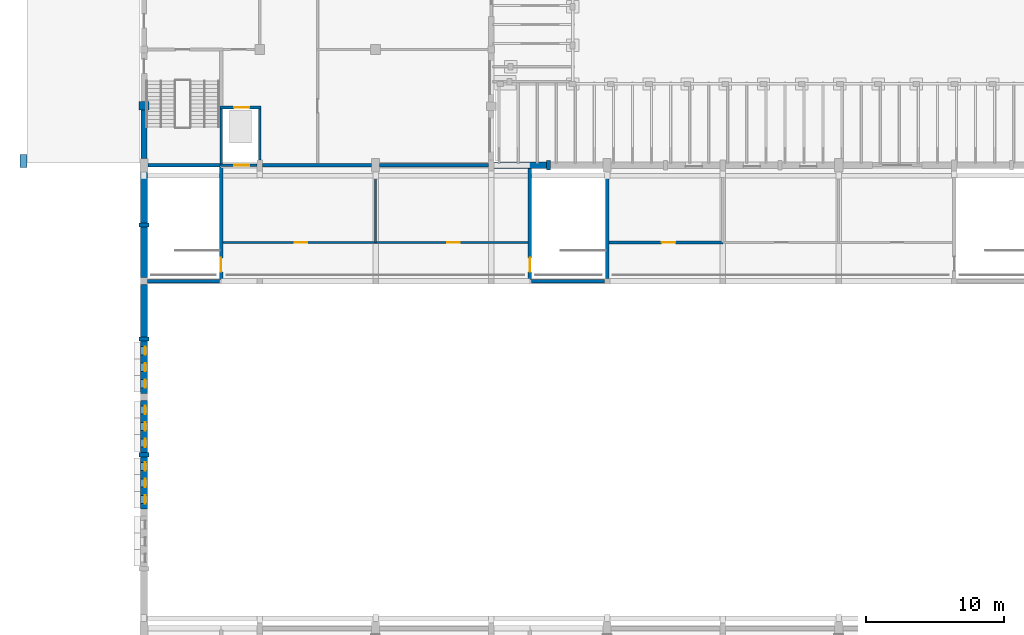
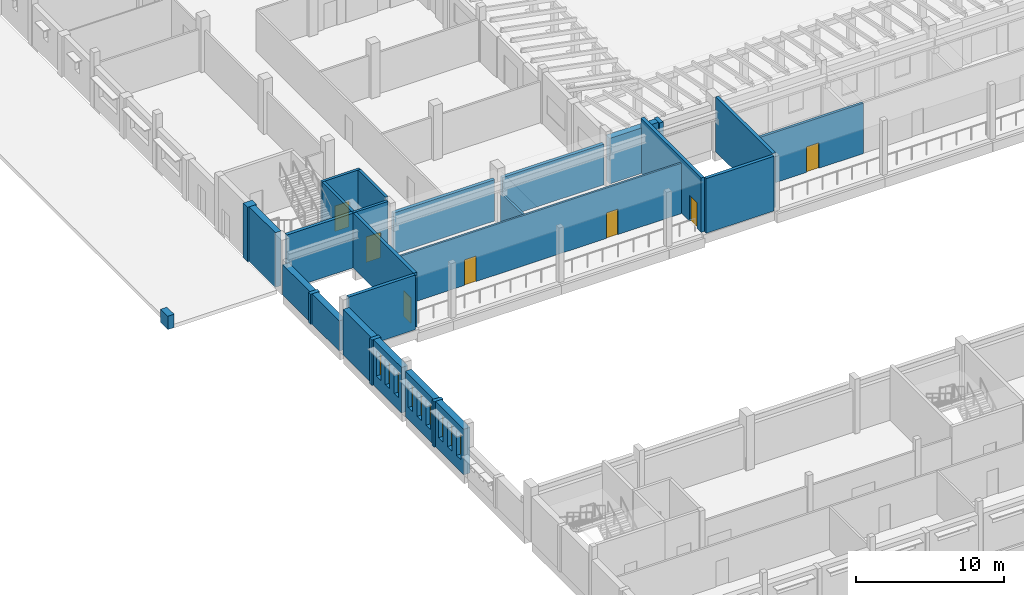
# One storey, part 34 of 60: 29 walls, 9 windows, 7 doors, 16 openings.
"""IFC4 building model written with IfcOpenShell, lengths in metres."""

from ifc_helpers import new_model, si_unit, direction, frame, frame_2d, origin, place, context, subcontext, project, spatial, rectangle, extrude, material, layer, layer_set, type_object, element, fill, save


model = new_model("IFC4")

# Units and contexts
model_context = context("Model", 3, precision=1e-05, world=origin(), true_north=direction((0.0, 1.0)))
body_context = subcontext(model_context, "Body", "Model", "MODEL_VIEW")
ifc_project = project(units=[si_unit("LENGTHUNIT", "METRE"), si_unit("AREAUNIT", "SQUARE_METRE"), si_unit("VOLUMEUNIT", "CUBIC_METRE"), si_unit("PLANEANGLEUNIT", "RADIAN"), si_unit("MASSUNIT", "GRAM", prefix="KILO")], contexts=[model_context])

# Site, building, storey
site_placement = place(None, origin())
site = spatial("IfcSite", under=ifc_project, at=site_placement, CompositionType="ELEMENT")
building_placement = place(site_placement, origin())
building = spatial("IfcBuilding", under=site, at=building_placement, Name="Fescue Hill Polytechnic", CompositionType="ELEMENT")
storey_placement = place(building_placement, frame((0.0, 0.0, 4.5)))
storey = spatial("IfcBuildingStorey", under=building, at=storey_placement, Name="L01", CompositionType="ELEMENT", Elevation=4.5)

# Wall
ifc_material_1 = material(Name="Concrete 40 MPa", Category="concrete")
ifc_layer_1 = layer(ifc_material_1, 0.25)
ifc_layer_set_1 = layer_set([ifc_layer_1], Name="Concrete 40 MPa")
wall_type_1 = type_object("IfcWallType", Name="Core wall 250", PredefinedType="SHEAR", material=ifc_layer_set_1)
wall_1_placement = place(storey_placement, frame((0.300048828125, 50.39990234375, 0.0), z_axis=(0.0, 0.0, 1.0), x_axis=(1.0, 0.0, 0.0)))
element("IfcWall", 1, at=wall_1_placement, inside=storey, type_object=wall_type_1, Name="CW-L01-ST-V1-5-21", PredefinedType="SHEAR", context=body_context, shape_type="SweptSolid", body=[
    extrude(rectangle(XDim=5.199951171875, YDim=0.25, at=frame_2d((2.60009765625, 0.0))), origin(), (0.0, 0.0, 1.0), 4.5),
])

# Wall, opening, door
wall_2_placement = place(storey_placement, frame((5.60009765625, 42.125, 0.0), z_axis=(0.0, 0.0, 1.0), x_axis=(0.0, 1.0, 0.0)))
wall_2 = element("IfcWall", 2, at=wall_2_placement, inside=storey, type_object=wall_type_1, Name="CW-L01-ST-V1-5-41", PredefinedType="SHEAR", context=body_context, shape_type="SweptSolid", body=[
    extrude(rectangle(XDim=8.14990234375, YDim=0.25, at=frame_2d((4.074951171875, 0.0))), origin(), (0.0, 0.0, 1.0), 4.5),
])
opening_1_placement = place(wall_2_placement, frame((0.550048828125, 0.0, 0.0)))
opening_1 = element("IfcOpeningElement", 3, at=opening_1_placement, cuts=wall_2, Name="Opening D1081", PredefinedType="OPENING", context=body_context, shape_type="SweptSolid", body=[
    extrude(rectangle(XDim=1.0, YDim=2.10009765625, at=frame_2d((0.5, 1.050048828125))), frame((0.0, 0.135009765625, 0.0), z_axis=(0.0, -1.0, 0.0), x_axis=(1.0, 0.0, 0.0)), (0.0, 0.0, 1.0), 0.27001953125),
])
ifc_material_2 = material(Name="Steel fire door", Category="steel")
door_type_1 = type_object("IfcDoorType", Name="Door single swing 1000x2100 stair fire rated", OperationType="NOTDEFINED", PredefinedType="DOOR", material=ifc_material_2)
door_1_placement = place(opening_1_placement, origin())
door_1 = element("IfcDoor", 4, at=door_1_placement, inside=storey, type_object=door_type_1, Name="L01 ST-V1-5 stair door", OperationType="SINGLE_SWING_LEFT", OverallHeight=2.10009765625, OverallWidth=1.0, PredefinedType="DOOR", context=body_context, shape_type="SweptSolid", body=[
    extrude(rectangle(XDim=1.0, YDim=2.10009765625, at=frame_2d((0.5, 1.050048828125))), frame((0.0, 0.02490234375, 0.0), z_axis=(0.0, -1.0, 0.0), x_axis=(1.0, 0.0, 0.0)), (0.0, 0.0, 1.0), 0.050048828125),
])
fill(opening_1, door_1)

wall_3_placement = place(storey_placement, frame((28.0, 42.125, 0.0), z_axis=(0.0, 0.0, 1.0), x_axis=(0.0, 1.0, 0.0)))
wall_3 = element("IfcWall", 5, at=wall_3_placement, inside=storey, type_object=wall_type_1, Name="CW-L01-ST-V1-6-31", PredefinedType="SHEAR", context=body_context, shape_type="SweptSolid", body=[
    extrude(rectangle(XDim=8.14990234375, YDim=0.25, at=frame_2d((4.074951171875, 0.0))), origin(), (0.0, 0.0, 1.0), 4.5),
])
opening_2_placement = place(wall_3_placement, frame((0.550048828125, 0.0, 0.0)))
opening_2 = element("IfcOpeningElement", 6, at=opening_2_placement, cuts=wall_3, Name="Opening D1082", PredefinedType="OPENING", context=body_context, shape_type="SweptSolid", body=[
    extrude(rectangle(XDim=1.0, YDim=2.10009765625, at=frame_2d((0.5, 1.050048828125))), frame((0.0, 0.135009765625, 0.0), z_axis=(0.0, -1.0, 0.0), x_axis=(1.0, 0.0, 0.0)), (0.0, 0.0, 1.0), 0.27001953125),
])
door_2_placement = place(opening_2_placement, origin())
door_2 = element("IfcDoor", 7, at=door_2_placement, inside=storey, type_object=door_type_1, Name="L01 ST-V1-6 stair door", OperationType="SINGLE_SWING_RIGHT", OverallHeight=2.10009765625, OverallWidth=1.0, PredefinedType="DOOR", context=body_context, shape_type="SweptSolid", body=[
    extrude(rectangle(XDim=1.0, YDim=2.10009765625, at=frame_2d((0.5, 1.050048828125))), frame((0.0, 0.02490234375, 0.0), z_axis=(0.0, -1.0, 0.0), x_axis=(1.0, 0.0, 0.0)), (0.0, 0.0, 1.0), 0.050048828125),
])
fill(opening_2, door_2)

# Walls
wall_4_placement = place(storey_placement, frame((33.60009765625, 42.199951171875, 0.0), z_axis=(0.0, 0.0, 1.0), x_axis=(0.0, 1.0, 0.0)))
element("IfcWall", 8, at=wall_4_placement, inside=storey, type_object=wall_type_1, Name="CW-L01-ST-V1-6-41", PredefinedType="SHEAR", context=body_context, shape_type="SweptSolid", body=[
    extrude(rectangle(XDim=7.699951171875, YDim=0.25, at=frame_2d((3.85009765625, 0.0))), origin(), (0.0, 0.0, 1.0), 4.5),
])
wall_5_placement = place(storey_placement, frame((0.25, 42.0, 0.0), z_axis=(0.0, 0.0, 1.0), x_axis=(1.0, 0.0, 0.0)))
element("IfcWall", 9, at=wall_5_placement, inside=storey, type_object=wall_type_1, Name="SCW-L01-ST-V1-5-s1", PredefinedType="SHEAR", context=body_context, shape_type="SweptSolid", body=[
    extrude(rectangle(XDim=5.22509765625, YDim=0.25, at=frame_2d((2.612548828125, 0.0))), origin(), (0.0, 0.0, 1.0), 4.5),
])
wall_6_placement = place(storey_placement, frame((28.125, 42.0, 0.0), z_axis=(0.0, 0.0, 1.0), x_axis=(1.0, 0.0, 0.0)))
element("IfcWall", 10, at=wall_6_placement, inside=storey, type_object=wall_type_1, Name="SCW-L01-ST-V1-6-s1", PredefinedType="SHEAR", context=body_context, shape_type="SweptSolid", body=[
    extrude(rectangle(XDim=5.27490234375, YDim=0.25, at=frame_2d((2.637451171875, 0.0))), origin(), (0.0, 0.0, 1.0), 4.5),
])

# Wall, openings, doors
ifc_material_3 = material(Name="Gypsum board partition")
ifc_layer_2 = layer(ifc_material_3, 0.14990234375)
ifc_layer_set_2 = layer_set([ifc_layer_2], Name="Gypsum board partition")
wall_type_2 = type_object("IfcWallType", Name="Corridor wall 150 EI 45", PredefinedType="PARTITIONING", material=ifc_layer_set_2)
wall_7_placement = place(storey_placement, frame((5.75, 44.800048828125, 0.0), z_axis=(0.0, 0.0, 1.0), x_axis=(1.0, 0.0, 0.0)))
wall_7 = element("IfcWall", 11, at=wall_7_placement, inside=storey, type_object=wall_type_2, Name="IW-L01-028", PredefinedType="PARTITIONING", context=body_context, shape_type="SweptSolid", body=[
    extrude(rectangle(XDim=22.10009765625, YDim=0.14990234375, at=frame_2d((11.050048828125, 0.0))), origin(), (0.0, 0.0, 1.0), 4.14990234375),
])
opening_3_placement = place(wall_7_placement, frame((5.199951171875, 0.0, 0.0)))
opening_3 = element("IfcOpeningElement", 12, at=opening_3_placement, cuts=wall_7, Name="Opening D1034", PredefinedType="OPENING", context=body_context, shape_type="SweptSolid", body=[
    extrude(rectangle(XDim=0.89990234375, YDim=2.10009765625, at=frame_2d((0.449951171875, 1.050048828125))), frame((0.0, 0.0849609375, 0.0), z_axis=(0.0, -1.0, 0.0), x_axis=(1.0, 0.0, 0.0)), (0.0, 0.0, 1.0), 0.169921875),
])
opening_4_placement = place(wall_7_placement, frame((16.25, 0.0, 0.0)))
opening_4 = element("IfcOpeningElement", 13, at=opening_4_placement, cuts=wall_7, Name="Opening D1035", PredefinedType="OPENING", context=body_context, shape_type="SweptSolid", body=[
    extrude(rectangle(XDim=0.89990234375, YDim=2.10009765625, at=frame_2d((0.449951171875, 1.050048828125))), frame((0.0, 0.0849609375, 0.0), z_axis=(0.0, -1.0, 0.0), x_axis=(1.0, 0.0, 0.0)), (0.0, 0.0, 1.0), 0.169921875),
])
ifc_material_4 = material(Name="Timber", Category="wood")
door_type_2 = type_object("IfcDoorType", Name="Door single swing 900x2100 FD30S", OperationType="SINGLE_SWING_LEFT", PredefinedType="DOOR", material=ifc_material_4)
door_3_placement = place(opening_3_placement, origin())
door_3 = element("IfcDoor", 14, at=door_3_placement, inside=storey, type_object=door_type_2, Name="Door D1034", OperationType="SINGLE_SWING_LEFT", OverallHeight=2.10009765625, OverallWidth=0.89990234375, PredefinedType="DOOR", context=body_context, shape_type="SweptSolid", body=[
    extrude(rectangle(XDim=0.89990234375, YDim=2.10009765625, at=frame_2d((0.449951171875, 1.050048828125))), frame((0.0, 0.02490234375, 0.0), z_axis=(0.0, -1.0, 0.0), x_axis=(1.0, 0.0, 0.0)), (0.0, 0.0, 1.0), 0.050048828125),
])
fill(opening_3, door_3)
door_4_placement = place(opening_4_placement, origin())
door_4 = element("IfcDoor", 15, at=door_4_placement, inside=storey, type_object=door_type_2, Name="Door D1035", OperationType="SINGLE_SWING_RIGHT", OverallHeight=2.10009765625, OverallWidth=0.89990234375, PredefinedType="DOOR", context=body_context, shape_type="SweptSolid", body=[
    extrude(rectangle(XDim=0.89990234375, YDim=2.10009765625, at=frame_2d((0.449951171875, 1.050048828125))), frame((0.0, 0.02490234375, 0.0), z_axis=(0.0, -1.0, 0.0), x_axis=(1.0, 0.0, 0.0)), (0.0, 0.0, 1.0), 0.050048828125),
])
fill(opening_4, door_4)

# Walls
ifc_layer_3 = layer(ifc_material_1, 0.449951171875)
ifc_layer_set_3 = layer_set([ifc_layer_3], Name="Concrete 40 MPa")
wall_type_3 = type_object("IfcWallType", Name="Exterior wall board-marked concrete 450 load-bearing", PredefinedType="SOLIDWALL", material=ifc_layer_set_3)
wall_8_placement = place(storey_placement, frame((0.0, 54.425048828125, 0.0), z_axis=(0.0, 0.0, 1.0), x_axis=(0.0, -1.0, 0.0)))
element("IfcWall", 16, at=wall_8_placement, inside=storey, type_object=wall_type_3, Name="EW-L01-V4-29", PredefinedType="SOLIDWALL", context=body_context, shape_type="SweptSolid", body=[
    extrude(rectangle(XDim=3.525146484375, YDim=0.449951171875, at=frame_2d((1.7626953125, 0.0))), origin(), (0.0, 0.0, 1.0), 4.5),
])
ifc_material_5 = material(Name="Clay brick masonry", Category="masonry")
ifc_layer_4 = layer(ifc_material_5, 0.47998046875)
ifc_layer_set_4 = layer_set([ifc_layer_4], Name="Clay brick masonry")
wall_type_4 = type_object("IfcWallType", Name="Exterior wall engineering brick cavity 480", PredefinedType="SOLIDWALL", material=ifc_layer_set_4)
wall_9_placement = place(storey_placement, frame((0.0, 41.75, 0.0), z_axis=(0.0, 0.0, 1.0), x_axis=(0.0, -1.0, 0.0)))
element("IfcWall", 17, at=wall_9_placement, inside=storey, type_object=wall_type_4, Name="EW-L01-V1-73", PredefinedType="SOLIDWALL", context=body_context, shape_type="SweptSolid", body=[
    extrude(rectangle(XDim=3.800048828125, YDim=0.47998046875, at=frame_2d((1.89990234375, 0.0))), origin(), (0.0, 0.0, 1.0), 3.75),
])

# Wall, openings, windows
wall_10_placement = place(storey_placement, frame((0.0, 37.64990234375, 0.0), z_axis=(0.0, 0.0, 1.0), x_axis=(0.0, -1.0, 0.0)))
wall_10 = element("IfcWall", 18, at=wall_10_placement, inside=storey, type_object=wall_type_4, Name="EW-L01-V1-74", PredefinedType="SOLIDWALL", context=body_context, shape_type="SweptSolid", body=[
    extrude(rectangle(XDim=3.7998046875, YDim=0.47998046875, at=frame_2d((1.89990234375, 0.0))), origin(), (0.0, 0.0, 1.0), 3.75),
])
opening_5_placement = place(wall_10_placement, frame((0.39990234375, 0.0, 1.0)))
opening_5 = element("IfcOpeningElement", 19, at=opening_5_placement, cuts=wall_10, Name="Opening W6", PredefinedType="OPENING", context=body_context, shape_type="SweptSolid", body=[
    extrude(rectangle(XDim=0.60009765625, YDim=2.10009765625, at=frame_2d((0.300048828125, 1.050048828125))), frame((0.0, 0.25, 0.0), z_axis=(0.0, -1.0, 0.0), x_axis=(1.0, 0.0, 0.0)), (0.0, 0.0, 1.0), 0.5),
])
opening_6_placement = place(wall_10_placement, frame((1.60009765625, 0.0, 1.0)))
opening_6 = element("IfcOpeningElement", 20, at=opening_6_placement, cuts=wall_10, Name="Opening W6", PredefinedType="OPENING", context=body_context, shape_type="SweptSolid", body=[
    extrude(rectangle(XDim=0.60009765625, YDim=2.10009765625, at=frame_2d((0.300048828125, 1.050048828125))), frame((0.0, 0.25, 0.0), z_axis=(0.0, -1.0, 0.0), x_axis=(1.0, 0.0, 0.0)), (0.0, 0.0, 1.0), 0.5),
])
opening_7_placement = place(wall_10_placement, frame((2.800048828125, 0.0, 1.0)))
opening_7 = element("IfcOpeningElement", 21, at=opening_7_placement, cuts=wall_10, Name="Opening W6", PredefinedType="OPENING", context=body_context, shape_type="SweptSolid", body=[
    extrude(rectangle(XDim=0.60009765625, YDim=2.10009765625, at=frame_2d((0.300048828125, 1.050048828125))), frame((0.0, 0.25, 0.0), z_axis=(0.0, -1.0, 0.0), x_axis=(1.0, 0.0, 0.0)), (0.0, 0.0, 1.0), 0.5),
])
ifc_material_6 = material(Name="Powder-coated aluminium and glass", Category="aluminium")
window_type = type_object("IfcWindowType", Name="Window slot 600x2100", PartitioningType="SINGLE_PANEL", PredefinedType="WINDOW", material=ifc_material_6)
window_1_placement = place(opening_5_placement, origin())
window_1 = element("IfcWindow", 22, at=window_1_placement, inside=storey, type_object=window_type, Name="WN-L01-V1-36", OverallHeight=2.10009765625, OverallWidth=0.60009765625, PartitioningType="SINGLE_PANEL", PredefinedType="WINDOW", context=body_context, shape_type="SweptSolid", body=[
    extrude(rectangle(XDim=0.60009765625, YDim=2.10009765625, at=frame_2d((0.300048828125, 1.050048828125))), frame((0.0, 0.1201171875, 0.0), z_axis=(0.0, -1.0, 0.0), x_axis=(1.0, 0.0, 0.0)), (0.0, 0.0, 1.0), 0.06005859375),
])
fill(opening_5, window_1)
window_2_placement = place(opening_6_placement, origin())
window_2 = element("IfcWindow", 23, at=window_2_placement, inside=storey, type_object=window_type, Name="WN-L01-V1-37", OverallHeight=2.10009765625, OverallWidth=0.60009765625, PartitioningType="SINGLE_PANEL", PredefinedType="WINDOW", context=body_context, shape_type="SweptSolid", body=[
    extrude(rectangle(XDim=0.60009765625, YDim=2.10009765625, at=frame_2d((0.300048828125, 1.050048828125))), frame((0.0, 0.1201171875, 0.0), z_axis=(0.0, -1.0, 0.0), x_axis=(1.0, 0.0, 0.0)), (0.0, 0.0, 1.0), 0.06005859375),
])
fill(opening_6, window_2)
window_3_placement = place(opening_7_placement, origin())
window_3 = element("IfcWindow", 24, at=window_3_placement, inside=storey, type_object=window_type, Name="WN-L01-V1-38", OverallHeight=2.10009765625, OverallWidth=0.60009765625, PartitioningType="SINGLE_PANEL", PredefinedType="WINDOW", context=body_context, shape_type="SweptSolid", body=[
    extrude(rectangle(XDim=0.60009765625, YDim=2.10009765625, at=frame_2d((0.300048828125, 1.050048828125))), frame((0.0, 0.1201171875, 0.0), z_axis=(0.0, -1.0, 0.0), x_axis=(1.0, 0.0, 0.0)), (0.0, 0.0, 1.0), 0.06005859375),
])
fill(opening_7, window_3)

wall_11_placement = place(storey_placement, frame((0.0, 33.35009765625, 0.0), z_axis=(0.0, 0.0, 1.0), x_axis=(0.0, -1.0, 0.0)))
wall_11 = element("IfcWall", 25, at=wall_11_placement, inside=storey, type_object=wall_type_4, Name="EW-L01-V1-75", PredefinedType="SOLIDWALL", context=body_context, shape_type="SweptSolid", body=[
    extrude(rectangle(XDim=3.800048828125, YDim=0.47998046875, at=frame_2d((1.89990234375, 0.0))), origin(), (0.0, 0.0, 1.0), 3.75),
])
opening_8_placement = place(wall_11_placement, frame((0.39990234375, 0.0, 1.0)))
opening_8 = element("IfcOpeningElement", 26, at=opening_8_placement, cuts=wall_11, Name="Opening W6", PredefinedType="OPENING", context=body_context, shape_type="SweptSolid", body=[
    extrude(rectangle(XDim=0.60009765625, YDim=2.10009765625, at=frame_2d((0.300048828125, 1.050048828125))), frame((0.0, 0.25, 0.0), z_axis=(0.0, -1.0, 0.0), x_axis=(1.0, 0.0, 0.0)), (0.0, 0.0, 1.0), 0.5),
])
opening_9_placement = place(wall_11_placement, frame((1.60009765625, 0.0, 1.0)))
opening_9 = element("IfcOpeningElement", 27, at=opening_9_placement, cuts=wall_11, Name="Opening W6", PredefinedType="OPENING", context=body_context, shape_type="SweptSolid", body=[
    extrude(rectangle(XDim=0.60009765625, YDim=2.10009765625, at=frame_2d((0.300048828125, 1.050048828125))), frame((0.0, 0.25, 0.0), z_axis=(0.0, -1.0, 0.0), x_axis=(1.0, 0.0, 0.0)), (0.0, 0.0, 1.0), 0.5),
])
opening_10_placement = place(wall_11_placement, frame((2.800048828125, 0.0, 1.0)))
opening_10 = element("IfcOpeningElement", 28, at=opening_10_placement, cuts=wall_11, Name="Opening W6", PredefinedType="OPENING", context=body_context, shape_type="SweptSolid", body=[
    extrude(rectangle(XDim=0.60009765625, YDim=2.10009765625, at=frame_2d((0.300048828125, 1.050048828125))), frame((0.0, 0.25, 0.0), z_axis=(0.0, -1.0, 0.0), x_axis=(1.0, 0.0, 0.0)), (0.0, 0.0, 1.0), 0.5),
])
window_4_placement = place(opening_8_placement, origin())
window_4 = element("IfcWindow", 29, at=window_4_placement, inside=storey, type_object=window_type, Name="WN-L01-V1-39", OverallHeight=2.10009765625, OverallWidth=0.60009765625, PartitioningType="SINGLE_PANEL", PredefinedType="WINDOW", context=body_context, shape_type="SweptSolid", body=[
    extrude(rectangle(XDim=0.60009765625, YDim=2.10009765625, at=frame_2d((0.300048828125, 1.050048828125))), frame((0.0, 0.1201171875, 0.0), z_axis=(0.0, -1.0, 0.0), x_axis=(1.0, 0.0, 0.0)), (0.0, 0.0, 1.0), 0.06005859375),
])
fill(opening_8, window_4)
window_5_placement = place(opening_9_placement, origin())
window_5 = element("IfcWindow", 30, at=window_5_placement, inside=storey, type_object=window_type, Name="WN-L01-V1-40", OverallHeight=2.10009765625, OverallWidth=0.60009765625, PartitioningType="SINGLE_PANEL", PredefinedType="WINDOW", context=body_context, shape_type="SweptSolid", body=[
    extrude(rectangle(XDim=0.60009765625, YDim=2.10009765625, at=frame_2d((0.300048828125, 1.050048828125))), frame((0.0, 0.1201171875, 0.0), z_axis=(0.0, -1.0, 0.0), x_axis=(1.0, 0.0, 0.0)), (0.0, 0.0, 1.0), 0.06005859375),
])
fill(opening_9, window_5)
window_6_placement = place(opening_10_placement, origin())
window_6 = element("IfcWindow", 31, at=window_6_placement, inside=storey, type_object=window_type, Name="WN-L01-V1-41", OverallHeight=2.10009765625, OverallWidth=0.60009765625, PartitioningType="SINGLE_PANEL", PredefinedType="WINDOW", context=body_context, shape_type="SweptSolid", body=[
    extrude(rectangle(XDim=0.60009765625, YDim=2.10009765625, at=frame_2d((0.300048828125, 1.050048828125))), frame((0.0, 0.1201171875, 0.0), z_axis=(0.0, -1.0, 0.0), x_axis=(1.0, 0.0, 0.0)), (0.0, 0.0, 1.0), 0.06005859375),
])
fill(opening_10, window_6)

wall_12_placement = place(storey_placement, frame((0.0, 29.25, 0.0), z_axis=(0.0, 0.0, 1.0), x_axis=(0.0, -1.0, 0.0)))
wall_12 = element("IfcWall", 32, at=wall_12_placement, inside=storey, type_object=wall_type_4, Name="EW-L01-V1-76", PredefinedType="SOLIDWALL", context=body_context, shape_type="SweptSolid", body=[
    extrude(rectangle(XDim=3.800048828125, YDim=0.47998046875, at=frame_2d((1.89990234375, 0.0))), origin(), (0.0, 0.0, 1.0), 3.75),
])
opening_11_placement = place(wall_12_placement, frame((0.39990234375, 0.0, 1.0)))
opening_11 = element("IfcOpeningElement", 33, at=opening_11_placement, cuts=wall_12, Name="Opening W6", PredefinedType="OPENING", context=body_context, shape_type="SweptSolid", body=[
    extrude(rectangle(XDim=0.60009765625, YDim=2.10009765625, at=frame_2d((0.300048828125, 1.050048828125))), frame((0.0, 0.25, 0.0), z_axis=(0.0, -1.0, 0.0), x_axis=(1.0, 0.0, 0.0)), (0.0, 0.0, 1.0), 0.5),
])
opening_12_placement = place(wall_12_placement, frame((1.60009765625, 0.0, 1.0)))
opening_12 = element("IfcOpeningElement", 34, at=opening_12_placement, cuts=wall_12, Name="Opening W6", PredefinedType="OPENING", context=body_context, shape_type="SweptSolid", body=[
    extrude(rectangle(XDim=0.60009765625, YDim=2.10009765625, at=frame_2d((0.300048828125, 1.050048828125))), frame((0.0, 0.25, 0.0), z_axis=(0.0, -1.0, 0.0), x_axis=(1.0, 0.0, 0.0)), (0.0, 0.0, 1.0), 0.5),
])
opening_13_placement = place(wall_12_placement, frame((2.800048828125, 0.0, 1.0)))
opening_13 = element("IfcOpeningElement", 35, at=opening_13_placement, cuts=wall_12, Name="Opening W6", PredefinedType="OPENING", context=body_context, shape_type="SweptSolid", body=[
    extrude(rectangle(XDim=0.60009765625, YDim=2.10009765625, at=frame_2d((0.300048828125, 1.050048828125))), frame((0.0, 0.25, 0.0), z_axis=(0.0, -1.0, 0.0), x_axis=(1.0, 0.0, 0.0)), (0.0, 0.0, 1.0), 0.5),
])
window_7_placement = place(opening_11_placement, origin())
window_7 = element("IfcWindow", 36, at=window_7_placement, inside=storey, type_object=window_type, Name="WN-L01-V1-42", OverallHeight=2.10009765625, OverallWidth=0.60009765625, PartitioningType="SINGLE_PANEL", PredefinedType="WINDOW", context=body_context, shape_type="SweptSolid", body=[
    extrude(rectangle(XDim=0.60009765625, YDim=2.10009765625, at=frame_2d((0.300048828125, 1.050048828125))), frame((0.0, 0.1201171875, 0.0), z_axis=(0.0, -1.0, 0.0), x_axis=(1.0, 0.0, 0.0)), (0.0, 0.0, 1.0), 0.06005859375),
])
fill(opening_11, window_7)
window_8_placement = place(opening_12_placement, origin())
window_8 = element("IfcWindow", 37, at=window_8_placement, inside=storey, type_object=window_type, Name="WN-L01-V1-43", OverallHeight=2.10009765625, OverallWidth=0.60009765625, PartitioningType="SINGLE_PANEL", PredefinedType="WINDOW", context=body_context, shape_type="SweptSolid", body=[
    extrude(rectangle(XDim=0.60009765625, YDim=2.10009765625, at=frame_2d((0.300048828125, 1.050048828125))), frame((0.0, 0.1201171875, 0.0), z_axis=(0.0, -1.0, 0.0), x_axis=(1.0, 0.0, 0.0)), (0.0, 0.0, 1.0), 0.06005859375),
])
fill(opening_12, window_8)
window_9_placement = place(opening_13_placement, origin())
window_9 = element("IfcWindow", 38, at=window_9_placement, inside=storey, type_object=window_type, Name="WN-L01-V1-44", OverallHeight=2.10009765625, OverallWidth=0.60009765625, PartitioningType="SINGLE_PANEL", PredefinedType="WINDOW", context=body_context, shape_type="SweptSolid", body=[
    extrude(rectangle(XDim=0.60009765625, YDim=2.10009765625, at=frame_2d((0.300048828125, 1.050048828125))), frame((0.0, 0.1201171875, 0.0), z_axis=(0.0, -1.0, 0.0), x_axis=(1.0, 0.0, 0.0)), (0.0, 0.0, 1.0), 0.06005859375),
])
fill(opening_13, window_9)

# Walls
ifc_layer_5 = layer(ifc_material_5, 0.47998046875)
ifc_layer_set_5 = layer_set([ifc_layer_5], Name="Clay brick masonry")
wall_type_5 = type_object("IfcWallType", Name="Exterior wall engineering brick cavity 480 load-bearing", PredefinedType="SOLIDWALL", material=ifc_layer_set_5)
wall_13_placement = place(storey_placement, frame((0.0, 49.89990234375, 0.0), z_axis=(0.0, 0.0, 1.0), x_axis=(0.0, -1.0, 0.0)))
element("IfcWall", 39, at=wall_13_placement, inside=storey, type_object=wall_type_5, Name="EW-L01-V1-51", PredefinedType="SOLIDWALL", context=body_context, shape_type="SweptSolid", body=[
    extrude(rectangle(XDim=3.6748046875, YDim=0.47998046875, at=frame_2d((1.83740234375, 0.0))), origin(), (0.0, 0.0, 1.0), 2.489013671875),
])
wall_14_placement = place(storey_placement, frame((0.0, 45.925048828125, 0.0), z_axis=(0.0, 0.0, 1.0), x_axis=(0.0, -1.0, 0.0)))
element("IfcWall", 40, at=wall_14_placement, inside=storey, type_object=wall_type_5, Name="EW-L01-V1-52", PredefinedType="SOLIDWALL", context=body_context, shape_type="SweptSolid", body=[
    extrude(rectangle(XDim=3.675048828125, YDim=0.47998046875, at=frame_2d((1.83740234375, 0.0))), origin(), (0.0, 0.0, 1.0), 2.489013671875),
])
wall_15_placement = place(storey_placement, frame((29.199951171875, 50.39990234375, 0.0), z_axis=(0.0, 0.0, 1.0), x_axis=(-1.0, 0.0, 0.0)))
element("IfcWall", 41, at=wall_15_placement, inside=storey, type_object=wall_type_5, Name="EW-L01-V1-72", PredefinedType="SOLIDWALL", context=body_context, shape_type="SweptSolid", body=[
    extrude(rectangle(XDim=3.800048828125, YDim=0.47998046875, at=frame_2d((1.89990234375, 0.0))), origin(), (0.0, 0.0, 1.0), 3.75),
])
ifc_layer_6 = layer(ifc_material_1, 0.699951171875)
ifc_layer_set_6 = layer_set([ifc_layer_6], Name="Concrete 40 MPa")
wall_type_6 = type_object("IfcWallType", Name="Fin wall board-marked 300x700", PredefinedType="SOLIDWALL", material=ifc_layer_set_6)
for number, where, z_axis, x_axis, name in (
    (42, (0.0, 37.949951171875, 0.0), (0.0, 0.0, 1.0), (0.0, -1.0, 0.0), "PR-L01-V1-27"),
    (43, (0.0, 29.550048828125, 0.0), (0.0, 0.0, 1.0), (0.0, -1.0, 0.0), "PR-L01-V1-28"),
):
    element("IfcWall", number, at=place(storey_placement, frame(where, z_axis=z_axis, x_axis=x_axis)), inside=storey, type_object=wall_type_6, Name=name, PredefinedType="SOLIDWALL", context=body_context, shape_type="SweptSolid", body=[
        extrude(rectangle(XDim=0.300048828125, YDim=0.699951171875, at=frame_2d((0.14990234375, 0.0))), origin(), (0.0, 0.0, 1.0), 3.75),
    ])
ifc_layer_7 = layer(ifc_material_1, 0.699951171875)
ifc_layer_set_7 = layer_set([ifc_layer_7], Name="Concrete 40 MPa")
wall_type_7 = type_object("IfcWallType", Name="Fin wall board-marked 300x700 load-bearing", PredefinedType="SOLIDWALL", material=ifc_layer_set_7)
wall_16_placement = place(storey_placement, frame((0.0, 46.22509765625, 0.0), z_axis=(0.0, 0.0, 1.0), x_axis=(0.0, -1.0, 0.0)))
element("IfcWall", 44, at=wall_16_placement, inside=storey, type_object=wall_type_7, Name="PR-L01-V1-19", PredefinedType="SOLIDWALL", context=body_context, shape_type="SweptSolid", body=[
    extrude(rectangle(XDim=0.300048828125, YDim=0.699951171875, at=frame_2d((0.14990234375, 0.0))), origin(), (0.0, 0.0, 1.0), 2.489013671875),
])
wall_17_placement = place(storey_placement, frame((29.5, 50.39990234375, 0.0), z_axis=(0.0, 0.0, 1.0), x_axis=(-1.0, 0.0, 0.0)))
element("IfcWall", 45, at=wall_17_placement, inside=storey, type_object=wall_type_7, Name="PR-L01-V1-26", PredefinedType="SOLIDWALL", context=body_context, shape_type="SweptSolid", body=[
    extrude(rectangle(XDim=0.300048828125, YDim=0.699951171875, at=frame_2d((0.14990234375, 0.0))), origin(), (0.0, 0.0, 1.0), 3.75),
])
ifc_layer_8 = layer(ifc_material_1, 0.699951171875)
ifc_layer_set_8 = layer_set([ifc_layer_8], Name="Concrete 40 MPa")
wall_type_8 = type_object("IfcWallType", Name="Fin wall board-marked 600x700", PredefinedType="SOLIDWALL", material=ifc_layer_set_8)
wall_18_placement = place(storey_placement, frame((0.0, 55.02490234375, 0.0), z_axis=(0.0, 0.0, 1.0), x_axis=(0.0, -1.0, 0.0)))
element("IfcWall", 46, at=wall_18_placement, inside=storey, type_object=wall_type_8, Name="PR-L01-V4-13", PredefinedType="SOLIDWALL", context=body_context, shape_type="SweptSolid", body=[
    extrude(rectangle(XDim=0.599853515625, YDim=0.699951171875, at=frame_2d((0.2998046875, 0.0))), origin(), (0.0, 0.0, 1.0), 4.5),
])

# Wall, opening, door
ifc_layer_9 = layer(ifc_material_1, 0.199951171875)
ifc_layer_set_9 = layer_set([ifc_layer_9], Name="Concrete 40 MPa")
wall_type_9 = type_object("IfcWallType", Name="Lift shaft wall 200", PredefinedType="SHEAR", material=ifc_layer_set_9)
wall_19_placement = place(storey_placement, frame((5.5, 50.39990234375, 0.0), z_axis=(0.0, 0.0, 1.0), x_axis=(1.0, 0.0, 0.0)))
wall_19 = element("IfcWall", 47, at=wall_19_placement, inside=storey, type_object=wall_type_9, Name="CW-L01-LF-V4-1-11", PredefinedType="SHEAR", context=body_context, shape_type="SweptSolid", body=[
    extrude(rectangle(XDim=2.699951171875, YDim=0.199951171875, at=frame_2d((1.35009765625, 0.0))), origin(), (0.0, 0.0, 1.0), 4.5),
])
opening_14_placement = place(wall_19_placement, frame((1.050048828125, 0.0, 0.0)))
opening_14 = element("IfcOpeningElement", 48, at=opening_14_placement, cuts=wall_19, Name="Opening LD4-L01", PredefinedType="OPENING", context=body_context, shape_type="SweptSolid", body=[
    extrude(rectangle(XDim=1.10009765625, YDim=2.10009765625, at=frame_2d((0.550048828125, 1.050048828125))), frame((0.0, 0.10986328125, 0.0), z_axis=(0.0, -1.0, 0.0), x_axis=(1.0, 0.0, 0.0)), (0.0, 0.0, 1.0), 0.219970703125),
])
ifc_material_7 = material(Name="Stainless steel", Category="steel")
door_type_3 = type_object("IfcDoorType", Name="Lift landing door sliding 1100x2100", OperationType="SLIDING_TO_LEFT", PredefinedType="DOOR", material=ifc_material_7)
door_5_placement = place(opening_14_placement, origin())
door_5 = element("IfcDoor", 49, at=door_5_placement, inside=storey, type_object=door_type_3, Name="L01 LF-V4-1 lift landing door", OperationType="SLIDING_TO_RIGHT", OverallHeight=2.10009765625, OverallWidth=1.10009765625, PredefinedType="DOOR", context=body_context, shape_type="SweptSolid", body=[
    extrude(rectangle(XDim=1.10009765625, YDim=2.10009765625, at=frame_2d((0.550048828125, 1.050048828125))), frame((0.0, 0.02490234375, 0.0), z_axis=(0.0, -1.0, 0.0), x_axis=(1.0, 0.0, 0.0)), (0.0, 0.0, 1.0), 0.050048828125),
])
fill(opening_14, door_5)

wall_20_placement = place(storey_placement, frame((5.5, 54.60009765625, 0.0), z_axis=(0.0, 0.0, 1.0), x_axis=(1.0, 0.0, 0.0)))
wall_20 = element("IfcWall", 50, at=wall_20_placement, inside=storey, type_object=wall_type_9, Name="CW-L01-LF-V4-1-21", PredefinedType="SHEAR", context=body_context, shape_type="SweptSolid", body=[
    extrude(rectangle(XDim=3.0, YDim=0.199951171875, at=frame_2d((1.5, 0.0))), origin(), (0.0, 0.0, 1.0), 4.5),
])
opening_15_placement = place(wall_20_placement, frame((1.050048828125, 0.0, 0.0)))
opening_15 = element("IfcOpeningElement", 51, at=opening_15_placement, cuts=wall_20, Name="Opening LD4-L01N", PredefinedType="OPENING", context=body_context, shape_type="SweptSolid", body=[
    extrude(rectangle(XDim=1.10009765625, YDim=2.10009765625, at=frame_2d((0.550048828125, 1.050048828125))), frame((0.0, 0.10986328125, 0.0), z_axis=(0.0, -1.0, 0.0), x_axis=(1.0, 0.0, 0.0)), (0.0, 0.0, 1.0), 0.219970703125),
])
door_6_placement = place(opening_15_placement, origin())
door_6 = element("IfcDoor", 52, at=door_6_placement, inside=storey, type_object=door_type_3, Name="L01 LF-V4-1 lift landing door", OperationType="SLIDING_TO_LEFT", OverallHeight=2.10009765625, OverallWidth=1.10009765625, PredefinedType="DOOR", context=body_context, shape_type="SweptSolid", body=[
    extrude(rectangle(XDim=1.10009765625, YDim=2.10009765625, at=frame_2d((0.550048828125, 1.050048828125))), frame((0.0, 0.02490234375, 0.0), z_axis=(0.0, -1.0, 0.0), x_axis=(1.0, 0.0, 0.0)), (0.0, 0.0, 1.0), 0.050048828125),
])
fill(opening_15, door_6)

# Walls
wall_21_placement = place(storey_placement, frame((5.60009765625, 50.5, 0.0), z_axis=(0.0, 0.0, 1.0), x_axis=(0.0, 1.0, 0.0)))
element("IfcWall", 53, at=wall_21_placement, inside=storey, type_object=wall_type_9, Name="CW-L01-LF-V4-1-31", PredefinedType="SHEAR", context=body_context, shape_type="SweptSolid", body=[
    extrude(rectangle(XDim=4.0, YDim=0.199951171875, at=frame_2d((2.0, 0.0))), origin(), (0.0, 0.0, 1.0), 4.5),
])
wall_22_placement = place(storey_placement, frame((8.39990234375, 50.800048828125, 0.0), z_axis=(0.0, 0.0, 1.0), x_axis=(0.0, 1.0, 0.0)))
element("IfcWall", 54, at=wall_22_placement, inside=storey, type_object=wall_type_9, Name="CW-L01-LF-V4-1-41", PredefinedType="SHEAR", context=body_context, shape_type="SweptSolid", body=[
    extrude(rectangle(XDim=3.699951171875, YDim=0.199951171875, at=frame_2d((1.85009765625, 0.0))), origin(), (0.0, 0.0, 1.0), 4.5),
])
ifc_layer_10 = layer(ifc_material_3, 0.14990234375)
ifc_layer_set_10 = layer_set([ifc_layer_10], Name="Gypsum board partition")
wall_type_10 = type_object("IfcWallType", Name="Partition stud 150 acoustic", PredefinedType="PARTITIONING", material=ifc_layer_set_10)
wall_23_placement = place(storey_placement, frame((16.800048828125, 44.800048828125, 0.0), z_axis=(0.0, 0.0, 1.0), x_axis=(0.0, 1.0, 0.0)))
element("IfcWall", 55, at=wall_23_placement, inside=storey, type_object=wall_type_10, Name="IW-L01-076", PredefinedType="PARTITIONING", context=body_context, shape_type="SweptSolid", body=[
    extrude(rectangle(XDim=5.099853515625, YDim=0.14990234375, at=frame_2d((2.5498046875, 0.0))), origin(), (0.0, 0.0, 1.0), 2.489013671875),
])
ifc_material_8 = material(Name="Concrete 35 MPa", Category="concrete")
ifc_layer_11 = layer(ifc_material_8, 0.25)
ifc_layer_set_11 = layer_set([ifc_layer_11], Name="Concrete 35 MPa")
wall_type_11 = type_object("IfcWallType", Name="Party wall 250 concrete EI 120", PredefinedType="SOLIDWALL", material=ifc_layer_set_11)
wall_24_placement = place(storey_placement, frame((8.60009765625, 50.39990234375, 0.0), z_axis=(0.0, 0.0, 1.0), x_axis=(1.0, 0.0, 0.0)))
element("IfcWall", 56, at=wall_24_placement, inside=storey, type_object=wall_type_11, Name="IW-L01-034", PredefinedType="SOLIDWALL", context=body_context, shape_type="SweptSolid", body=[
    extrude(rectangle(XDim=7.89990234375, YDim=0.25, at=frame_2d((3.949951171875, 0.0))), origin(), (0.0, 0.0, 1.0), 3.39990234375),
])
wall_25_placement = place(storey_placement, frame((17.10009765625, 50.39990234375, 0.0), z_axis=(0.0, 0.0, 1.0), x_axis=(1.0, 0.0, 0.0)))
element("IfcWall", 57, at=wall_25_placement, inside=storey, type_object=wall_type_11, Name="IW-L01-035", PredefinedType="SOLIDWALL", context=body_context, shape_type="SweptSolid", body=[
    extrude(rectangle(XDim=7.89990234375, YDim=0.25, at=frame_2d((3.949951171875, 0.0))), origin(), (0.0, 0.0, 1.0), 3.35009765625),
])
ifc_layer_12 = layer(ifc_material_8, 0.5)
ifc_layer_set_12 = layer_set([ifc_layer_12], Name="Concrete 35 MPa")
wall_type_12 = type_object("IfcWallType", Name="Retaining wall 500", PredefinedType="SOLIDWALL", material=ifc_layer_set_12)
wall_26_placement = place(storey_placement, frame((-8.742919921875, 50.22509765625, 0.0), z_axis=(0.0, 0.0, 1.0), x_axis=(0.0, 1.0, 0.0)))
element("IfcWall", 58, at=wall_26_placement, inside=storey, type_object=wall_type_12, Name="RT-PW05", PredefinedType="SOLIDWALL", context=body_context, shape_type="SweptSolid", body=[
    extrude(rectangle(XDim=0.974853515625, YDim=0.5, at=frame_2d((0.4873046875, 0.0))), origin(), (0.0, 0.0, 1.0), 1.10009765625),
])

# Wall, opening, door
ifc_material_9 = material(Name="Concrete masonry block 15 MPa", Category="masonry")
ifc_layer_13 = layer(ifc_material_9, 0.199951171875)
ifc_layer_set_13 = layer_set([ifc_layer_13], Name="Concrete masonry block 15 MPa")
wall_type_13 = type_object("IfcWallType", Name="Workshop wall 200 block EI 60", PredefinedType="PARTITIONING", material=ifc_layer_set_13)
wall_27_placement = place(storey_placement, frame((33.75, 44.800048828125, 0.0), z_axis=(0.0, 0.0, 1.0), x_axis=(1.0, 0.0, 0.0)))
wall_27 = element("IfcWall", 59, at=wall_27_placement, inside=storey, type_object=wall_type_13, Name="IW-L01-033", PredefinedType="PARTITIONING", context=body_context, shape_type="SweptSolid", body=[
    extrude(rectangle(XDim=8.25, YDim=0.199951171875, at=frame_2d((4.125, 0.0))), origin(), (0.0, 0.0, 1.0), 4.14990234375),
])
opening_16_placement = place(wall_27_placement, frame((3.800048828125, 0.0, 0.0)))
opening_16 = element("IfcOpeningElement", 60, at=opening_16_placement, cuts=wall_27, Name="Opening D1036", PredefinedType="OPENING", context=body_context, shape_type="SweptSolid", body=[
    extrude(rectangle(XDim=1.0, YDim=2.10009765625, at=frame_2d((0.5, 1.050048828125))), frame((0.0, 0.10986328125, 0.0), z_axis=(0.0, -1.0, 0.0), x_axis=(1.0, 0.0, 0.0)), (0.0, 0.0, 1.0), 0.219970703125),
])
ifc_material_10 = material(Name="Steel", Category="steel")
door_type_4 = type_object("IfcDoorType", Name="Door single swing 1000x2100 FD60", OperationType="SINGLE_SWING_LEFT", PredefinedType="DOOR", material=ifc_material_10)
door_7_placement = place(opening_16_placement, origin())
door_7 = element("IfcDoor", 61, at=door_7_placement, inside=storey, type_object=door_type_4, Name="Door D1036", OperationType="SINGLE_SWING_RIGHT", OverallHeight=2.10009765625, OverallWidth=1.0, PredefinedType="DOOR", context=body_context, shape_type="SweptSolid", body=[
    extrude(rectangle(XDim=1.0, YDim=2.10009765625, at=frame_2d((0.5, 1.050048828125))), frame((0.0, 0.02490234375, 0.0), z_axis=(0.0, -1.0, 0.0), x_axis=(1.0, 0.0, 0.0)), (0.0, 0.0, 1.0), 0.050048828125),
])
fill(opening_16, door_7)

save(model, "model.ifc")
